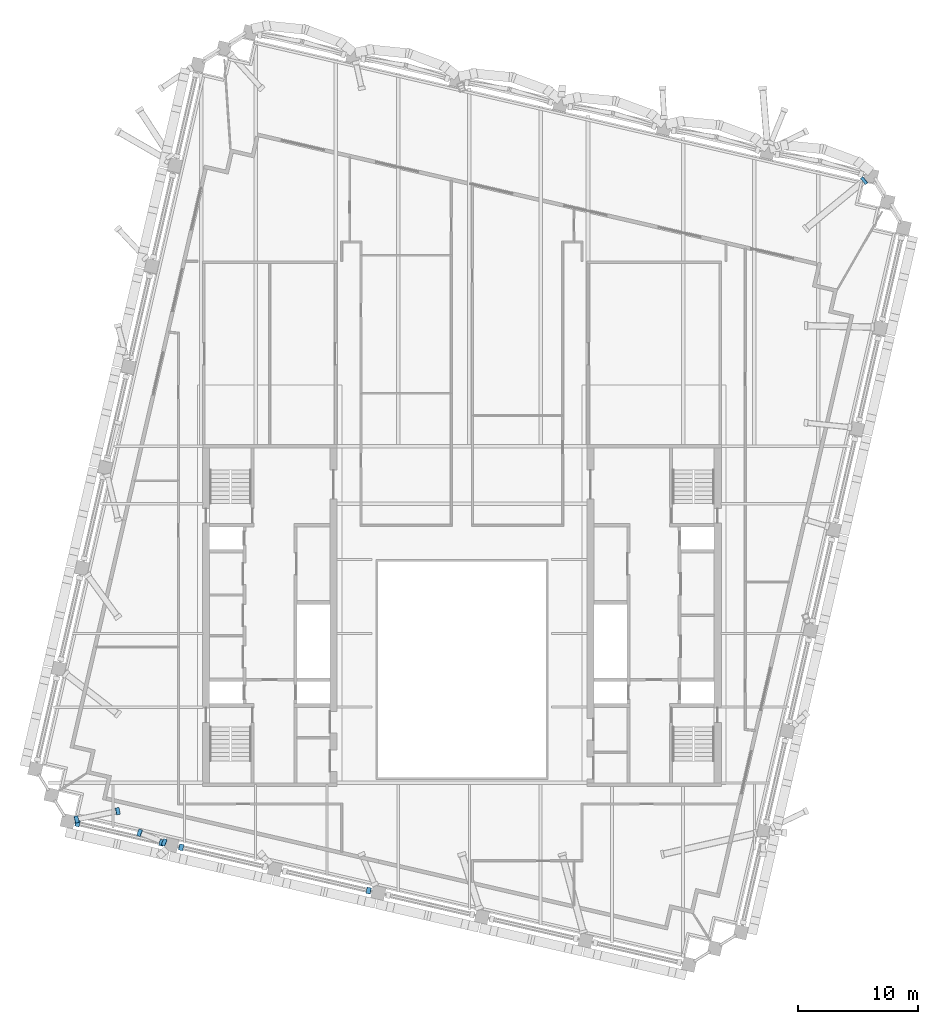
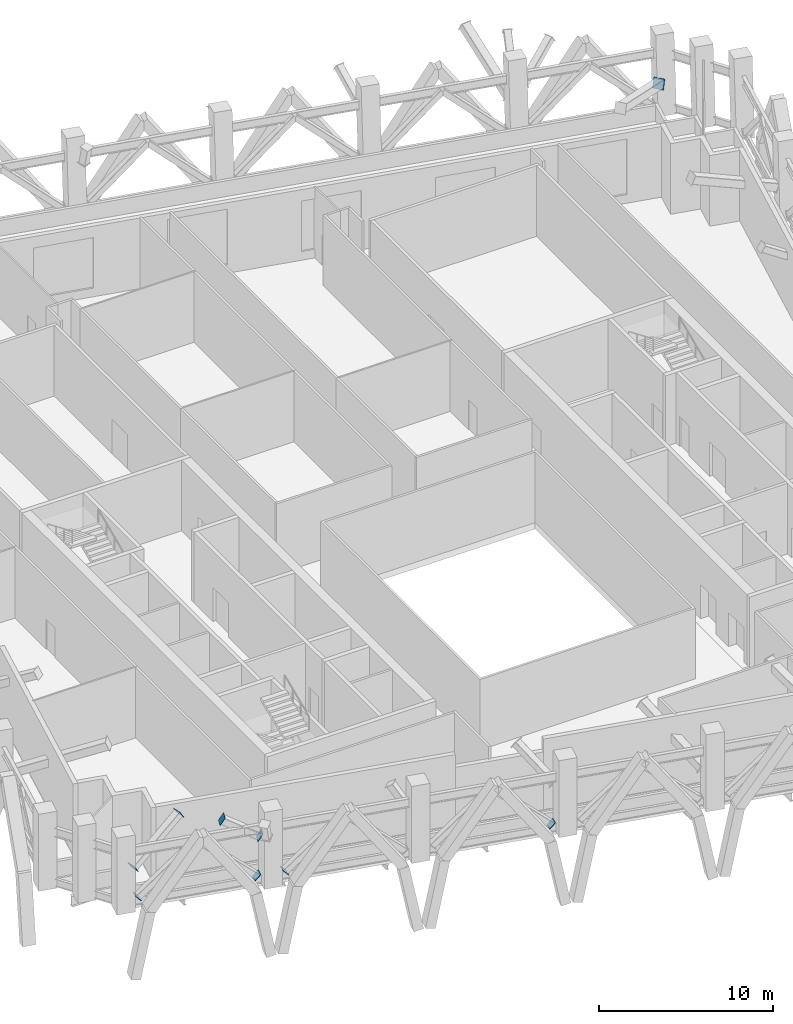
# One storey, part 13 of 19: 9 discrete accessories.
"""IFC4 building model written with IfcOpenShell, lengths in metres."""

from ifc_helpers import new_model, si_unit, direction, frame, origin, origin_2d, place, context, subcontext, project, spatial, rectangle, extrude, material, material_profile, profile_set, type_object, element, save


model = new_model("IFC4")

# Units and contexts
model_context = context("Model", 3, precision=1e-05, world=origin(), true_north=direction((0.0, 1.0)))
body_context = subcontext(model_context, "Body", "Model", "MODEL_VIEW")
ifc_project = project(units=[si_unit("LENGTHUNIT", "METRE"), si_unit("AREAUNIT", "SQUARE_METRE"), si_unit("VOLUMEUNIT", "CUBIC_METRE"), si_unit("PLANEANGLEUNIT", "RADIAN"), si_unit("MASSUNIT", "GRAM", prefix="KILO")], contexts=[model_context])

# Site, building, storey
site_placement = place(None, origin())
site = spatial("IfcSite", under=ifc_project, at=site_placement, CompositionType="ELEMENT")
building_placement = place(site_placement, origin())
building = spatial("IfcBuilding", under=site, at=building_placement, Name="Ogive Exchange Tower", CompositionType="ELEMENT")
storey_placement = place(building_placement, frame((0.0, 0.0, 297.60009765625)))
storey = spatial("IfcBuildingStorey", under=building, at=storey_placement, Name="L65", CompositionType="ELEMENT", Elevation=297.60009765625)

# Discrete accessories
ifc_material = material(Name="Steel ASTM A572 Gr50", Category="steel")
ifc_material_profile_1 = material_profile(ifc_material, rectangle(XDim=0.52587890625, YDim=0.52587890625, at=origin_2d()), Name="PL 526 x 526 x 25")
ifc_profile_set_1 = profile_set([ifc_material_profile_1], Name="Steel ASTM A572 Gr50")
discrete_accessory_type_1 = type_object("IfcDiscreteAccessoryType", Name="Gusset plate 526 x 526 x 25", PredefinedType="USERDEFINED", material=ifc_profile_set_1)
for number, where, z_axis, x_axis, name in (
    (1, (-32.01708984375, -5.821044921875, 0.66796875), (0.721273600701, -0.16569798935, 0.672538897951), (0.223897510936, 0.974612694662, 0.0), "Belt truss diagonal 1a end plate A"),
    (2, (-25.000732421875, -7.44091796875, 0.66796875), (-0.721273600701, 0.16569798935, 0.672538897951), (-0.223897510936, -0.974612694662, 0.0), "Belt truss diagonal 1b end plate A"),
):
    element("IfcDiscreteAccessory", number, at=place(storey_placement, frame(where, z_axis=z_axis, x_axis=x_axis)), inside=storey, type_object=discrete_accessory_type_1, Name=name, ObjectType="GUSSET PLATE", PredefinedType="USERDEFINED", context=body_context, shape_type="SweptSolid", body=[
        extrude(rectangle(XDim=0.52587890625, YDim=0.52587890625, at=origin_2d()), origin(), (0.0, 0.0, 1.0), 0.025146484375),
    ])
discrete_accessory_1_placement = place(storey_placement, frame((-23.393798828125, -7.81201171875, 0.66796875), z_axis=(0.71768955066, -0.157301819323, 0.67836409583), x_axis=(0.214095921407, 0.976812641419, 0.0)))
element("IfcDiscreteAccessory", 3, at=discrete_accessory_1_placement, inside=storey, type_object=discrete_accessory_type_1, Name="Belt truss diagonal 2a end plate A", ObjectType="GUSSET PLATE", PredefinedType="USERDEFINED", context=body_context, shape_type="SweptSolid", body=[
    extrude(rectangle(XDim=0.52587890625, YDim=0.52587890625, at=origin_2d()), origin(), (0.0, 0.0, 1.0), 0.02490234375),
])
discrete_accessory_2_placement = place(storey_placement, frame((-7.75439453125, -11.422607421875, 0.66796875), z_axis=(-0.721273600701, 0.16569798935, 0.672538897951), x_axis=(-0.223897510936, -0.974612694662, 0.0)))
element("IfcDiscreteAccessory", 4, at=discrete_accessory_2_placement, inside=storey, type_object=discrete_accessory_type_1, Name="Belt truss diagonal 3b end plate A", ObjectType="GUSSET PLATE", PredefinedType="USERDEFINED", context=body_context, shape_type="SweptSolid", body=[
    extrude(rectangle(XDim=0.52587890625, YDim=0.52587890625, at=origin_2d()), origin(), (0.0, 0.0, 1.0), 0.025146484375),
])
ifc_material_profile_2 = material_profile(ifc_material, rectangle(XDim=0.576904296875, YDim=0.576904296875, at=origin_2d()), Name="PL 577 x 577 x 25")
ifc_profile_set_2 = profile_set([ifc_material_profile_2], Name="Steel ASTM A572 Gr50")
discrete_accessory_type_2 = type_object("IfcDiscreteAccessoryType", Name="Gusset plate 577 x 577 x 25", PredefinedType="USERDEFINED", material=ifc_profile_set_2)
discrete_accessory_3_placement = place(storey_placement, frame((-32.10693359375, -5.49267578125, 2.56982421875), z_axis=(0.830901053051, 0.175955517117, 0.52786655135), x_axis=(-0.207170441905, 0.978304864549, 0.0)))
element("IfcDiscreteAccessory", 5, at=discrete_accessory_3_placement, inside=storey, type_object=discrete_accessory_type_2, Name="Block-change strut 30 end plate A", ObjectType="GUSSET PLATE", PredefinedType="USERDEFINED", context=body_context, shape_type="SweptSolid", body=[
    extrude(rectangle(XDim=0.576904296875, YDim=0.576904296875, at=origin_2d()), origin(), (0.0, 0.0, 1.0), 0.02490234375),
])
discrete_accessory_4_placement = place(storey_placement, frame((-28.6708984375, -4.80419921875, 4.742431640625), z_axis=(0.835266443196, 0.165110808539, 0.524469627123), x_axis=(-0.193921957084, 0.981016959365, 0.0)))
element("IfcDiscreteAccessory", 6, at=discrete_accessory_4_placement, inside=storey, type_object=discrete_accessory_type_2, Name="Block-change strut 30 end plate B", ObjectType="GUSSET PLATE", PredefinedType="USERDEFINED", context=body_context, shape_type="SweptSolid", body=[
    extrude(rectangle(XDim=0.576904296875, YDim=0.576904296875, at=origin_2d()), origin(), (0.0, 0.0, 1.0), 0.025146484375),
])
discrete_accessory_5_placement = place(storey_placement, frame((-24.77783203125, -7.40185546875, 3.378173828125), z_axis=(-0.790441419917, 0.312273153547, 0.526960946611), x_axis=(-0.367427946649, -0.930051989956, 0.0)))
element("IfcDiscreteAccessory", 7, at=discrete_accessory_5_placement, inside=storey, type_object=discrete_accessory_type_2, Name="Block-change strut 34 end plate A", ObjectType="GUSSET PLATE", PredefinedType="USERDEFINED", context=body_context, shape_type="SweptSolid", body=[
    extrude(rectangle(XDim=0.576904296875, YDim=0.576904296875, at=origin_2d()), origin(), (0.0, 0.0, 1.0), 0.02490234375),
])
discrete_accessory_6_placement = place(storey_placement, frame((-26.830078125, -6.607666015625, 4.742431640625), z_axis=(-0.796416841187, 0.301084415571, 0.524469627123), x_axis=(-0.353622392329, -0.93538826358, 0.0)))
element("IfcDiscreteAccessory", 8, at=discrete_accessory_6_placement, inside=storey, type_object=discrete_accessory_type_2, Name="Block-change strut 34 end plate B", ObjectType="GUSSET PLATE", PredefinedType="USERDEFINED", context=body_context, shape_type="SweptSolid", body=[
    extrude(rectangle(XDim=0.576904296875, YDim=0.576904296875, at=origin_2d()), origin(), (0.0, 0.0, 1.0), 0.025146484375),
])
ifc_material_profile_3 = material_profile(ifc_material, rectangle(XDim=0.678955078125, YDim=0.678955078125, at=origin_2d()), Name="PL 679 x 679 x 25")
ifc_profile_set_3 = profile_set([ifc_material_profile_3], Name="Steel ASTM A572 Gr50")
discrete_accessory_type_3 = type_object("IfcDiscreteAccessoryType", Name="Gusset plate 679 x 679 x 25", PredefinedType="USERDEFINED", material=ifc_profile_set_3)
discrete_accessory_7_placement = place(storey_placement, frame((33.51123046875, 47.716064453125, 2.288818359375), z_axis=(-0.722406896428, -0.595497576785, 0.351441192857), x_axis=(0.636072678832, -0.77162915137, 0.0)))
element("IfcDiscreteAccessory", 9, at=discrete_accessory_7_placement, inside=storey, type_object=discrete_accessory_type_3, Name="Block-change strut 14 end plate A", ObjectType="GUSSET PLATE", PredefinedType="USERDEFINED", context=body_context, shape_type="SweptSolid", body=[
    extrude(rectangle(XDim=0.678955078125, YDim=0.678955078125, at=origin_2d()), origin(), (0.0, 0.0, 1.0), 0.02490234375),
])

save(model, "model.ifc")
